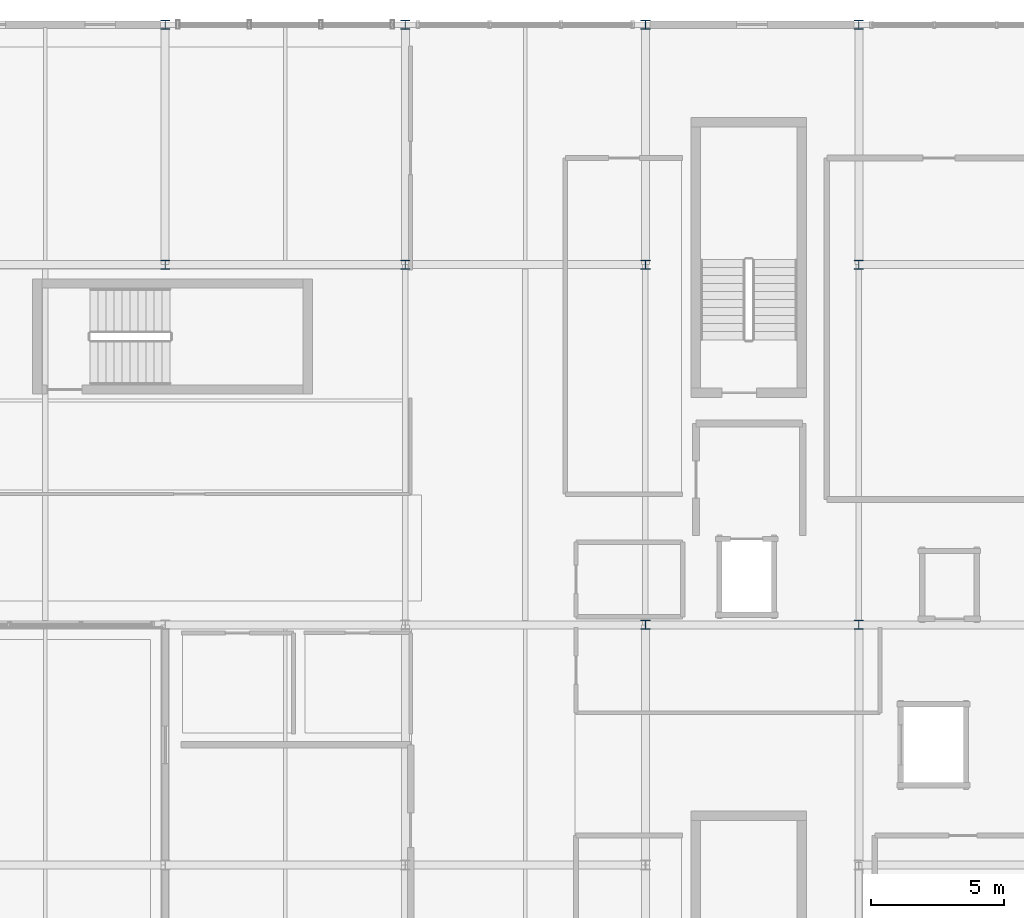
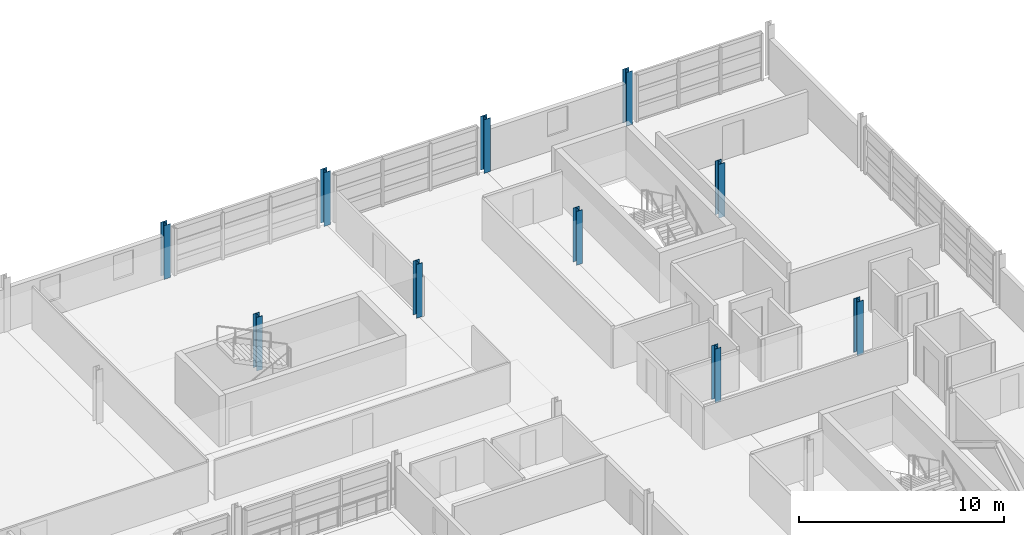
# One storey, part 3 of 30: 10 columns.
"""IFC4 building model written with IfcOpenShell, lengths in metres."""

from ifc_helpers import new_model, si_unit, direction, frame, origin, origin_2d, place, context, subcontext, project, spatial, i_section, extrude, material, material_profile, profile_set, type_object, element, save


model = new_model("IFC4")

# Units and contexts
model_context = context("Model", 3, precision=1e-05, world=origin(), true_north=direction((0.0, 1.0)))
body_context = subcontext(model_context, "Body", "Model", "MODEL_VIEW")
ifc_project = project(units=[si_unit("LENGTHUNIT", "METRE"), si_unit("AREAUNIT", "SQUARE_METRE"), si_unit("VOLUMEUNIT", "CUBIC_METRE"), si_unit("PLANEANGLEUNIT", "RADIAN"), si_unit("MASSUNIT", "GRAM", prefix="KILO")], contexts=[model_context])

# Site, building, storey
site_placement = place(None, origin())
site = spatial("IfcSite", under=ifc_project, at=site_placement, CompositionType="ELEMENT")
building_placement = place(site_placement, origin())
building = spatial("IfcBuilding", under=site, at=building_placement, Name="Chuanluo Vaults Station", CompositionType="ELEMENT")
storey_placement = place(building_placement, frame((0.0, 0.0, 17.60009765625)))
storey = spatial("IfcBuildingStorey", under=building, at=storey_placement, Name="L04", CompositionType="ELEMENT", Elevation=17.60009765625)

# Columns
ifc_material = material(Name="Steel Q355C", Category="steel")
ifc_material_profile = material_profile(ifc_material, i_section(OverallWidth=0.35009765625, OverallDepth=0.35009765625, WebThickness=0.011962890625, FlangeThickness=0.01904296875, FilletRadius=0.02001953125, at=origin_2d()))
ifc_profile_set = profile_set([ifc_material_profile], Name="Steel Q355C")
column_type = type_object("IfcColumnType", Name="COL-STL-HW350", PredefinedType="COLUMN", material=ifc_profile_set)
for number, where, z_axis, x_axis, name in (
    (1, (154.0, 117.0, 0.0), (0.0, 0.0, 1.0), (1.0, 0.0, 0.0), "Column L04-121"),
    (2, (154.0, 126.0, 0.0), (0.0, 0.0, 1.0), (1.0, 0.0, 0.0), "Column L04-122"),
    (3, (163.0, 117.0, 0.0), (0.0, 0.0, 1.0), (1.0, 0.0, 0.0), "Column L04-134"),
    (4, (163.0, 126.0, 0.0), (0.0, 0.0, 1.0), (1.0, 0.0, 0.0), "Column L04-135"),
    (5, (172.0, 103.5, 0.0), (0.0, 0.0, 1.0), (1.0, 0.0, 0.0), "Column L04-146"),
    (6, (172.0, 117.0, 0.0), (0.0, 0.0, 1.0), (1.0, 0.0, 0.0), "Column L04-147"),
    (7, (172.0, 126.0, 0.0), (0.0, 0.0, 1.0), (1.0, 0.0, 0.0), "Column L04-148"),
    (8, (180.0, 103.5, 0.0), (0.0, 0.0, 1.0), (1.0, 0.0, 0.0), "Column L04-159"),
    (9, (180.0, 117.0, 0.0), (0.0, 0.0, 1.0), (1.0, 0.0, 0.0), "Column L04-160"),
    (10, (180.0, 126.0, 0.0), (0.0, 0.0, 1.0), (1.0, 0.0, 0.0), "Column L04-161"),
):
    element("IfcColumn", number, at=place(storey_placement, frame(where, z_axis=z_axis, x_axis=x_axis)), inside=storey, type_object=column_type, Name=name, PredefinedType="COLUMN", context=body_context, shape_type="SweptSolid", body=[
        extrude(i_section(OverallWidth=0.35009765625, OverallDepth=0.35009765625, WebThickness=0.011962890625, FlangeThickness=0.01904296875, FilletRadius=0.02001953125, at=origin_2d()), origin(), (0.0, 0.0, 1.0), 3.199951171875),
    ])

save(model, "model.ifc")
